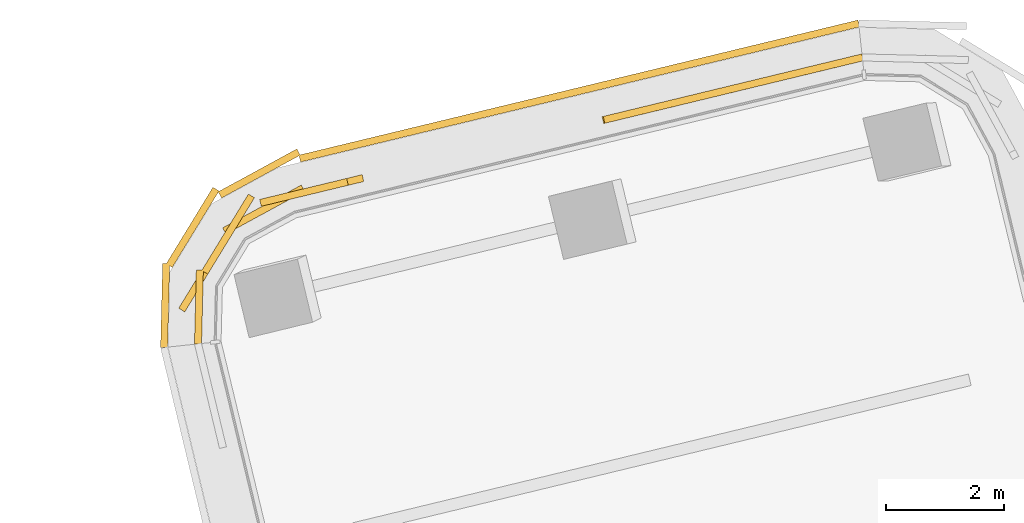
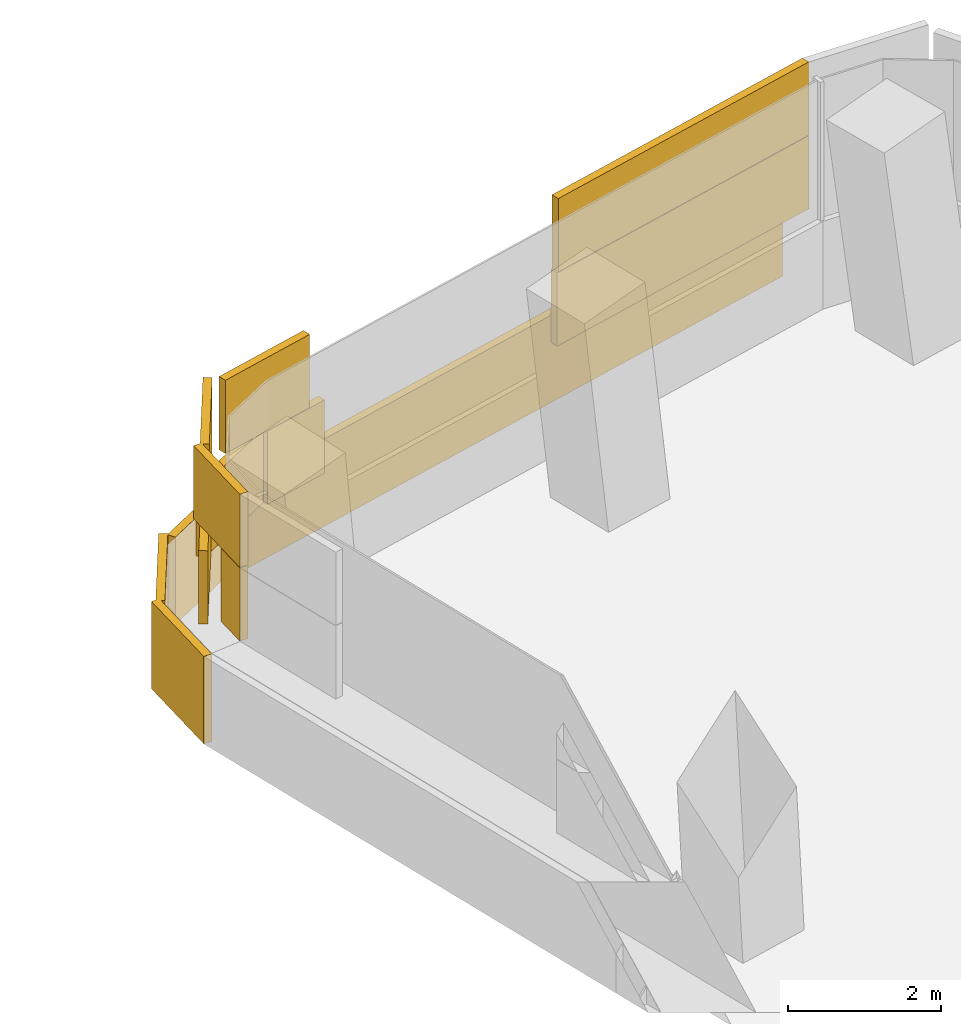
# One storey, part 32 of 33: 1 covering.
"""IFC4 building model written with IfcOpenShell, lengths in metres."""

from ifc_helpers import new_model, si_unit, direction, frame, origin, origin_2d, place, context, subcontext, project, spatial, rectangle, extrude, material, layer, layer_set, type_object, element, save


model = new_model("IFC4")

# Units and contexts
model_context = context("Model", 3, precision=1e-05, world=origin(), true_north=direction((0.0, 1.0)))
body_context = subcontext(model_context, "Body", "Model", "MODEL_VIEW")
ifc_project = project(units=[si_unit("LENGTHUNIT", "METRE"), si_unit("AREAUNIT", "SQUARE_METRE"), si_unit("VOLUMEUNIT", "CUBIC_METRE"), si_unit("PLANEANGLEUNIT", "RADIAN"), si_unit("MASSUNIT", "GRAM", prefix="KILO")], contexts=[model_context])

# Site, building, storey
site_placement = place(None, origin())
site = spatial("IfcSite", under=ifc_project, at=site_placement, CompositionType="ELEMENT")
building_placement = place(site_placement, origin())
building = spatial("IfcBuilding", under=site, at=building_placement, Name="Tamarind Cross Interchange Tower", CompositionType="ELEMENT")
storey_placement = place(building_placement, frame((0.0, 0.0, 83.5)))
storey = spatial("IfcBuildingStorey", under=building, at=storey_placement, Name="L19", CompositionType="ELEMENT", Elevation=83.5)

# Covering
ifc_material = material(Name="Terracotta", Category="masonry")
ifc_layer = layer(ifc_material, 0.1201171875)
ifc_layer_set = layer_set([ifc_layer], Name="Terracotta")
covering_type = type_object("IfcCoveringType", Name="Terracotta baguette screen unit", PredefinedType="MOLDING", material=ifc_layer_set)
covering_placement = place(storey_placement, origin())
element("IfcCovering", 1, at=covering_placement, inside=storey, type_object=covering_type, Name="SCR-L19-00-00", PredefinedType="MOLDING", context=body_context, shape_type="SweptSolid", body=[
    extrude(rectangle(XDim=0.760009765625, YDim=0.1201171875, at=origin_2d()), frame((-1.881103515625, 49.530517578125, 1.404052734375), z_axis=(0.0, 0.0, 1.0), x_axis=(-0.972033185193, -0.234843537027, 0.0)), (0.0, 0.0, 1.0), 1.1669921875),
    extrude(rectangle(XDim=1.52001953125, YDim=0.1201171875, at=origin_2d()), frame((-2.974609375, 49.266357421875, 1.404052734375), z_axis=(0.0, 0.0, 1.0), x_axis=(-0.972033185193, -0.234843537027, 0.0)), (0.0, 0.0, 1.0), 1.1669921875),
    extrude(rectangle(XDim=1.52001953125, YDim=0.1201171875, at=origin_2d()), frame((-4.4326171875, 48.9140625, 1.404052734375), z_axis=(0.0, 0.0, 1.0), x_axis=(-0.972033185193, -0.234843537027, 0.0)), (0.0, 0.0, 1.0), 1.1669921875),
    extrude(rectangle(XDim=0.784912109375, YDim=0.1201171875, at=origin_2d()), frame((-5.538330078125, 48.64697265625, 1.404052734375), z_axis=(0.0, 0.0, 1.0), x_axis=(-0.972033185193, -0.234843537027, 0.0)), (0.0, 0.0, 1.0), 1.1669921875),
    extrude(rectangle(XDim=1.03515625, YDim=0.1201171875, at=origin_2d()), frame((-10.49560546875, 47.44921875, 1.404052734375), z_axis=(0.0, 0.0, 1.0), x_axis=(-0.972033185193, -0.234843537027, 0.0)), (0.0, 0.0, 1.0), 1.1669921875),
    extrude(rectangle(XDim=1.52001953125, YDim=0.1201171875, at=origin_2d()), frame((-11.67822265625, 47.036865234375, 1.404052734375), z_axis=(0.0, 0.0, 1.0), x_axis=(-0.878129977586, -0.478422138351, 0.0)), (0.0, 0.0, 1.0), 1.1669921875),
    extrude(rectangle(XDim=1.52001953125, YDim=0.1201171875, at=origin_2d()), frame((-12.67236328125, 45.979736328125, 1.404052734375), z_axis=(0.0, 0.0, 1.0), x_axis=(-0.521271799238, -0.853390714338, 0.0)), (0.0, 0.0, 1.0), 1.1669921875),
    extrude(rectangle(XDim=0.509521484375, YDim=0.1201171875, at=origin_2d()), frame((-12.785888671875, 45.00634765625, 1.404052734375), z_axis=(0.0, 0.0, 1.0), x_axis=(-0.024739263248, -0.99969393759, 0.0)), (0.0, 0.0, 1.0), 1.1669921875),
    extrude(rectangle(XDim=1.510009765625, YDim=0.1201171875, at=origin_2d()), frame((-2.24560546875, 49.442626953125, 2.5791015625), z_axis=(0.0, 0.0, 1.0), x_axis=(-0.972033185193, -0.234843537027, 0.0)), (0.0, 0.0, 1.0), 1.1669921875),
    extrude(rectangle(XDim=1.52001953125, YDim=0.1201171875, at=origin_2d()), frame((-3.70361328125, 49.09033203125, 2.5791015625), z_axis=(0.0, 0.0, 1.0), x_axis=(-0.972033185193, -0.234843537027, 0.0)), (0.0, 0.0, 1.0), 1.1669921875),
    extrude(rectangle(XDim=1.52001953125, YDim=0.1201171875, at=origin_2d()), frame((-5.161865234375, 48.738037109375, 2.5791015625), z_axis=(0.0, 0.0, 1.0), x_axis=(-0.972033185193, -0.234843537027, 0.0)), (0.0, 0.0, 1.0), 1.1669921875),
    extrude(rectangle(XDim=1.52001953125, YDim=0.1201171875, at=origin_2d()), frame((-10.993896484375, 47.328857421875, 2.5791015625), z_axis=(0.0, 0.0, 1.0), x_axis=(-0.972033185193, -0.234843537027, 0.0)), (0.0, 0.0, 1.0), 1.1669921875),
    extrude(rectangle(XDim=1.52001953125, YDim=0.1201171875, at=origin_2d()), frame((-12.281494140625, 46.619873046875, 2.5791015625), z_axis=(0.0, 0.0, 1.0), x_axis=(-0.521271799238, -0.853390714338, 0.0)), (0.0, 0.0, 1.0), 1.1669921875),
    extrude(rectangle(XDim=1.259521484375, YDim=0.1201171875, at=origin_2d()), frame((-12.776611328125, 45.38134765625, 2.5791015625), z_axis=(0.0, 0.0, 1.0), x_axis=(-0.024739263248, -0.99969393759, 0.0)), (0.0, 0.0, 1.0), 1.1669921875),
    extrude(rectangle(XDim=0.760009765625, YDim=0.1201171875, at=origin_2d()), frame((-1.947265625, 50.105224609375, 0.00390625), z_axis=(0.0, 0.0, 1.0), x_axis=(-0.972033185193, -0.234843537027, 0.0)), (0.0, 0.0, 1.0), 1.39208984375),
    extrude(rectangle(XDim=1.52001953125, YDim=0.1201171875, at=origin_2d()), frame((-3.0361328125, 49.842041015625, 0.00390625), z_axis=(0.0, 0.0, 1.0), x_axis=(-0.972033185193, -0.234843537027, 0.0)), (0.0, 0.0, 1.0), 1.39208984375),
    extrude(rectangle(XDim=1.52001953125, YDim=0.1201171875, at=origin_2d()), frame((-4.494140625, 49.48974609375, 0.00390625), z_axis=(0.0, 0.0, 1.0), x_axis=(-0.972033185193, -0.234843537027, 0.0)), (0.0, 0.0, 1.0), 1.39208984375),
    extrude(rectangle(XDim=1.52001953125, YDim=0.1201171875, at=origin_2d()), frame((-5.9521484375, 49.137451171875, 0.00390625), z_axis=(0.0, 0.0, 1.0), x_axis=(-0.972033185193, -0.234843537027, 0.0)), (0.0, 0.0, 1.0), 1.39208984375),
    extrude(rectangle(XDim=1.52001953125, YDim=0.1201171875, at=origin_2d()), frame((-7.41015625, 48.785400390625, 0.00390625), z_axis=(0.0, 0.0, 1.0), x_axis=(-0.972033185193, -0.234843537027, 0.0)), (0.0, 0.0, 1.0), 1.39208984375),
    extrude(rectangle(XDim=1.52001953125, YDim=0.1201171875, at=origin_2d()), frame((-8.8681640625, 48.43310546875, 0.00390625), z_axis=(0.0, 0.0, 1.0), x_axis=(-0.972033185193, -0.234843537027, 0.0)), (0.0, 0.0, 1.0), 1.39208984375),
    extrude(rectangle(XDim=1.52001953125, YDim=0.1201171875, at=origin_2d()), frame((-10.326171875, 48.080810546875, 0.00390625), z_axis=(0.0, 0.0, 1.0), x_axis=(-0.972033185193, -0.234843537027, 0.0)), (0.0, 0.0, 1.0), 1.39208984375),
    extrude(rectangle(XDim=1.52001953125, YDim=0.1201171875, at=origin_2d()), frame((-11.75390625, 47.6494140625, 0.00390625), z_axis=(0.0, 0.0, 1.0), x_axis=(-0.878129977586, -0.478422138351, 0.0)), (0.0, 0.0, 1.0), 1.39208984375),
    extrude(rectangle(XDim=1.52001953125, YDim=0.1201171875, at=origin_2d()), frame((-12.8837890625, 46.73486328125, 0.00390625), z_axis=(0.0, 0.0, 1.0), x_axis=(-0.521271799238, -0.853390714338, 0.0)), (0.0, 0.0, 1.0), 1.39208984375),
    extrude(rectangle(XDim=1.4267578125, YDim=0.1201171875, at=origin_2d()), frame((-13.35009765625, 45.408935546875, 0.00390625), z_axis=(0.0, 0.0, 1.0), x_axis=(-0.024739263248, -0.99969393759, 0.0)), (0.0, 0.0, 1.0), 1.39208984375),
])

save(model, "model.ifc")
